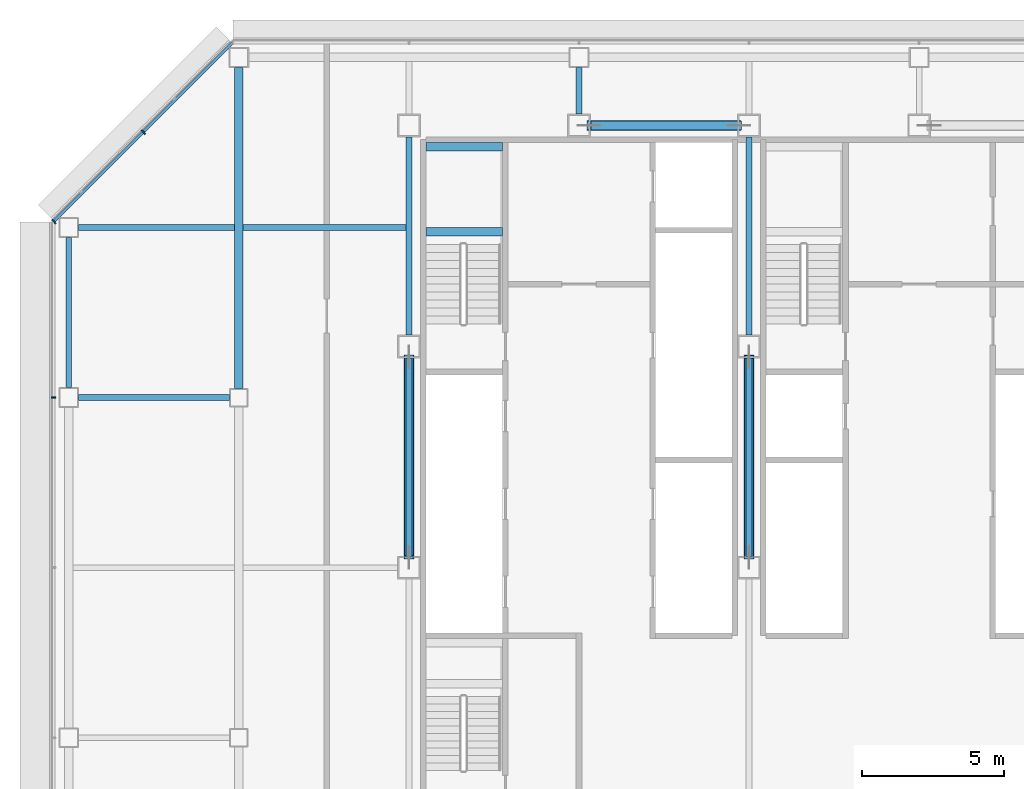
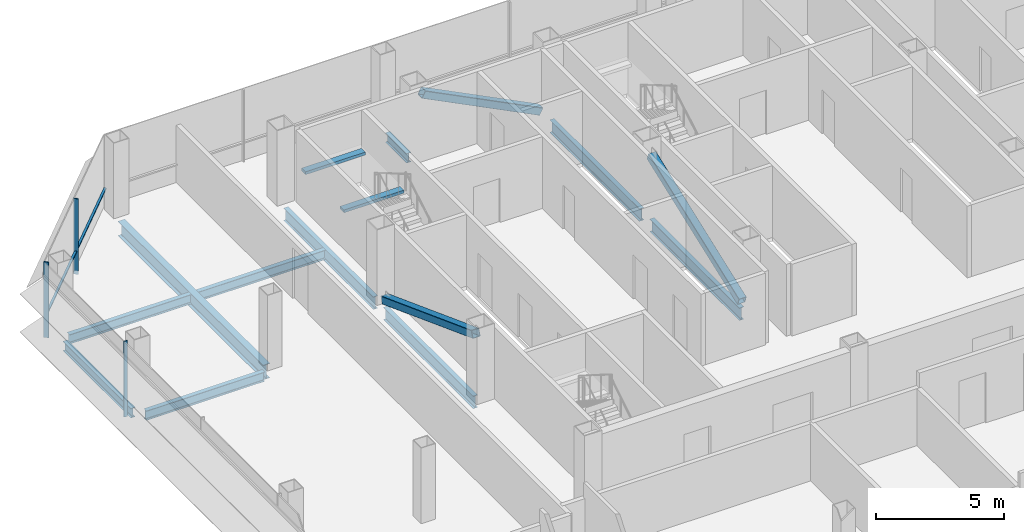
# One storey, part 11 of 26: 12 beams, 7 members, 2 elements without a shape of their own.
"""IFC4 building model written with IfcOpenShell, lengths in metres."""

from ifc_helpers import new_model, si_unit, direction, frame, origin, origin_2d, place, context, subcontext, project, spatial, rectangle, hollow_rectangle, i_section, extrude, material, material_profile, profile_set, type_object, element, aggregate, save


model = new_model("IFC4")

# Units and contexts
model_context = context("Model", 3, precision=1e-05, world=origin(), true_north=direction((0.0, 1.0)))
body_context = subcontext(model_context, "Body", "Model", "MODEL_VIEW")
ifc_project = project(units=[si_unit("LENGTHUNIT", "METRE"), si_unit("AREAUNIT", "SQUARE_METRE"), si_unit("VOLUMEUNIT", "CUBIC_METRE"), si_unit("PLANEANGLEUNIT", "RADIAN"), si_unit("MASSUNIT", "GRAM", prefix="KILO")], contexts=[model_context])

# Site, building, storey
site_placement = place(None, origin())
site = spatial("IfcSite", under=ifc_project, at=site_placement, CompositionType="ELEMENT")
building_placement = place(site_placement, origin())
building = spatial("IfcBuilding", under=site, at=building_placement, Name="Sorahane Residences", CompositionType="ELEMENT")
storey_placement = place(building_placement, frame((0.0, 0.0, 154.60009765625)))
storey = spatial("IfcBuildingStorey", under=building, at=storey_placement, Name="L35", CompositionType="ELEMENT", Elevation=154.60009765625)

# Members
ifc_material_1 = material(Name="Steel Q355B", Category="steel")
ifc_material_profile_1 = material_profile(ifc_material_1, hollow_rectangle(XDim=0.35009765625, YDim=0.35009765625, WallThickness=0.01806640625, InnerFilletRadius=0.009033203125, OuterFilletRadius=0.027099609375, at=origin_2d()), Name="RHS 350x350x18")
ifc_profile_set_1 = profile_set([ifc_material_profile_1], Name="Steel Q355B")
member_type_1 = type_object("IfcMemberType", Name="Core brace RHS 350x350x18 Q355B", PredefinedType="BRACE", material=ifc_profile_set_1)
member_1_placement = place(storey_placement, frame((17.647216796875, 45.60009765625, 0.151123046875), z_axis=(-0.893055794866, 0.0, 0.449945938149), x_axis=(0.0, -1.0, 0.0)))
element("IfcMember", 1, at=member_1_placement, inside=storey, type_object=member_type_1, Name="Core brace L35 y45.6-2", PredefinedType="BRACE", context=body_context, shape_type="SweptSolid", body=[
    extrude(hollow_rectangle(XDim=0.35009765625, YDim=0.35009765625, WallThickness=0.01806640625, InnerFilletRadius=0.009033203125, OuterFilletRadius=0.027099609375, at=origin_2d()), origin(), (0.0, 0.0, 1.0), 5.928466796875),
])
for number, where, z_axis, x_axis, name in (
    (2, (6.0, 37.436767578125, 0.1611328125), (0.0, -0.936550837269, 0.350531780601), (1.0, 0.0, 0.0), "Core brace L35 x6-2"),
    (3, (18.0, 30.36328125, 0.1611328125), (0.0, 0.936550837269, 0.350531780601), (-1.0, 0.0, 0.0), "Core brace L35 x18-1"),
):
    element("IfcMember", number, at=place(storey_placement, frame(where, z_axis=z_axis, x_axis=x_axis)), inside=storey, type_object=member_type_1, Name=name, PredefinedType="BRACE", context=body_context, shape_type="SweptSolid", body=[
        extrude(hollow_rectangle(XDim=0.35009765625, YDim=0.35009765625, WallThickness=0.01806640625, InnerFilletRadius=0.009033203125, OuterFilletRadius=0.027099609375, at=origin_2d()), origin(), (0.0, 0.0, 1.0), 7.552734375),
    ])

# Curtain wall, member
ifc_material_2 = material(Name="Dark low-e glass and black anodised aluminium", Category="aluminium")
curtain_wall_type_1 = type_object("IfcCurtainWallType", Name="Curtain wall CW-1 Typical unitised wall", PredefinedType="NOTDEFINED", material=ifc_material_2)
curtain_wall_1_placement = place(storey_placement, origin())
curtain_wall_1 = element("IfcCurtainWall", 4, at=curtain_wall_1_placement, inside=storey, type_object=curtain_wall_type_1, Name="CW-1 curtain wall L35 W1", PredefinedType="NOTDEFINED")
ifc_material_3 = material(Name="Black anodised aluminium", Category="aluminium")
ifc_material_profile_2 = material_profile(ifc_material_3, rectangle(XDim=0.159912109375, YDim=0.050048828125, at=origin_2d()), Name="Curtain wall mullion CW-1 black anodised aluminium 50x160")
ifc_profile_set_2 = profile_set([ifc_material_profile_2], Name="Black anodised aluminium")
member_type_2 = type_object("IfcMemberType", Name="Curtain wall mullion CW-1 black anodised aluminium 50x160", PredefinedType="MULLION", material=ifc_profile_set_2)
member_2_placement = place(storey_placement, frame((-6.5400390625, 36.0, -0.18017578125), z_axis=(0.0, 0.0, 1.0), x_axis=(-1.0, 0.0, 0.0)))
member_2 = element("IfcMember", 5, at=member_2_placement, type_object=member_type_2, Name="CW-1 mullion L35 W1.2", PredefinedType="MULLION", context=body_context, shape_type="SweptSolid", body=[
    extrude(rectangle(XDim=0.159912109375, YDim=0.050048828125, at=origin_2d()), origin(), (0.0, 0.0, 1.0), 3.60009765625),
])
aggregate(curtain_wall_1, [member_2])

# Curtain wall, members
ifc_material_4 = material(Name="Dark low-e glass and black anodised aluminium", Category="aluminium")
curtain_wall_type_2 = type_object("IfcCurtainWallType", Name="Curtain wall CW-2 Chamfer unitised wall", PredefinedType="NOTDEFINED", material=ifc_material_4)
curtain_wall_2_placement = place(storey_placement, origin())
curtain_wall_2 = element("IfcCurtainWall", 6, at=curtain_wall_2_placement, inside=storey, type_object=curtain_wall_type_2, Name="CW-2 curtain wall L35 NW1", PredefinedType="NOTDEFINED")
ifc_material_5 = material(Name="Black anodised aluminium", Category="aluminium")
ifc_material_profile_3 = material_profile(ifc_material_5, rectangle(XDim=0.199951171875, YDim=0.050048828125, at=origin_2d()), Name="Curtain wall mullion CW-2 black anodised aluminium 50x200")
ifc_profile_set_3 = profile_set([ifc_material_profile_3], Name="Black anodised aluminium")
member_type_3 = type_object("IfcMemberType", Name="Curtain wall mullion CW-2 black anodised aluminium 50x200", PredefinedType="MULLION", material=ifc_profile_set_3)
member_3_placement = place(storey_placement, frame((-3.36767578125, 45.36767578125, -0.18017578125), z_axis=(0.0, 0.0, 1.0), x_axis=(-0.707106781187, 0.707106781187, 0.0)))
member_3 = element("IfcMember", 7, at=member_3_placement, type_object=member_type_3, Name="CW-2 mullion L35 NW1.2", PredefinedType="MULLION", context=body_context, shape_type="SweptSolid", body=[
    extrude(rectangle(XDim=0.199951171875, YDim=0.050048828125, at=origin_2d()), origin(), (0.0, 0.0, 1.0), 3.60009765625),
])
member_4_placement = place(storey_placement, frame((-6.525634765625, 42.209716796875, -0.18017578125), z_axis=(0.0, 0.0, 1.0), x_axis=(-0.707106781187, 0.707106781187, 0.0)))
member_4 = element("IfcMember", 8, at=member_4_placement, type_object=member_type_3, Name="CW-2 mullion L35 NW1.3", PredefinedType="MULLION", context=body_context, shape_type="SweptSolid", body=[
    extrude(rectangle(XDim=0.199951171875, YDim=0.050048828125, at=origin_2d()), origin(), (0.0, 0.0, 1.0), 3.60009765625),
])
ifc_material_6 = material(Name="Black anodised aluminium", Category="aluminium")
ifc_material_profile_4 = material_profile(ifc_material_6, rectangle(XDim=0.10009765625, YDim=0.06005859375, at=origin_2d()), Name="Curtain wall transom CW-2 black anodised aluminium 60x100")
ifc_profile_set_4 = profile_set([ifc_material_profile_4], Name="Black anodised aluminium")
member_type_4 = type_object("IfcMemberType", Name="Curtain wall transom CW-2 black anodised aluminium 60x100", PredefinedType="USERDEFINED", material=ifc_profile_set_4)
member_5_placement = place(storey_placement, frame((-0.234375, 48.51513671875, 0.89990234375), z_axis=(-0.707106781187, -0.707106781187, 0.0), x_axis=(0.707106781187, -0.707106781187, 0.0)))
member_5 = element("IfcMember", 9, at=member_5_placement, type_object=member_type_4, Name="CW-2 transom L35 NW1", ObjectType="TRANSOM", PredefinedType="USERDEFINED", context=body_context, shape_type="SweptSolid", body=[
    extrude(rectangle(XDim=0.10009765625, YDim=0.06005859375, at=origin_2d()), origin(), (0.0, 0.0, 1.0), 8.88232421875),
])
aggregate(curtain_wall_2, [member_3, member_4, member_5])

# Beams
ifc_material_7 = material(Name="Concrete C40", Category="concrete")
ifc_material_profile_5 = material_profile(ifc_material_7, rectangle(XDim=0.300048828125, YDim=0.139892578125, at=origin_2d()), Name="300x140")
ifc_profile_set_5 = profile_set([ifc_material_profile_5], Name="Concrete C40")
beam_type_1 = type_object("IfcBeamType", Name="RC landing beam 300 x 140 Concrete C40", PredefinedType="BEAM", material=ifc_profile_set_5)
for number, where, z_axis, x_axis, name in (
    (10, (6.60009765625, 41.85009765625, 1.52978515625), (1.0, 0.0, 0.0), (0.0, 1.0, 0.0), "Landing beam"),
    (11, (6.60009765625, 44.85009765625, 1.52978515625), (1.0, 0.0, 0.0), (0.0, 1.0, 0.0), "Landing beam"),
):
    element("IfcBeam", number, at=place(storey_placement, frame(where, z_axis=z_axis, x_axis=x_axis)), inside=storey, type_object=beam_type_1, Name=name, PredefinedType="BEAM", context=body_context, shape_type="SweptSolid", body=[
        extrude(rectangle(XDim=0.300048828125, YDim=0.139892578125, at=origin_2d()), origin(), (0.0, 0.0, 1.0), 2.699951171875),
    ])
ifc_material_8 = material(Name="Steel Q355B", Category="steel")
ifc_material_profile_6 = material_profile(ifc_material_8, i_section(OverallWidth=0.199951171875, OverallDepth=0.449951171875, WebThickness=0.009033203125, FlangeThickness=0.013916015625, FilletRadius=0.02001953125, at=origin_2d()), Name="HN 450x200x9x14")
ifc_profile_set_6 = profile_set([ifc_material_profile_6], Name="Steel Q355B")
beam_type_2 = type_object("IfcBeamType", Name="Steel floor beam HN 450x200x9x14 Q355B", PredefinedType="BEAM", material=ifc_profile_set_6)
beam_1_placement = place(storey_placement, frame((-5.64990234375, 36.0, -0.405029296875), z_axis=(1.0, 0.0, 0.0), x_axis=(0.0, 1.0, 0.0)))
element("IfcBeam", 12, at=beam_1_placement, inside=storey, type_object=beam_type_2, Name="Beam L35 013", PredefinedType="BEAM", context=body_context, shape_type="SweptSolid", body=[
    extrude(i_section(OverallWidth=0.199951171875, OverallDepth=0.449951171875, WebThickness=0.009033203125, FlangeThickness=0.013916015625, FilletRadius=0.02001953125, at=origin_2d()), origin(), (0.0, 0.0, 1.0), 5.324951171875),
])
beam_2_placement = place(storey_placement, frame((-6.0, 36.35009765625, -0.405029296875), z_axis=(0.0, 1.0, 0.0), x_axis=(-1.0, 0.0, 0.0)))
element("IfcBeam", 13, at=beam_2_placement, inside=storey, type_object=beam_type_2, Name="Beam L35 023", PredefinedType="BEAM", context=body_context, shape_type="SweptSolid", body=[
    extrude(i_section(OverallWidth=0.199951171875, OverallDepth=0.449951171875, WebThickness=0.009033203125, FlangeThickness=0.013916015625, FilletRadius=0.02001953125, at=origin_2d()), origin(), (0.0, 0.0, 1.0), 5.2998046875),
])
beam_3_placement = place(storey_placement, frame((12.0, 46.0, -0.405029296875), z_axis=(0.0, 1.0, 0.0), x_axis=(-1.0, 0.0, 0.0)))
element("IfcBeam", 14, at=beam_3_placement, inside=storey, type_object=beam_type_2, Name="Beam L35 035", PredefinedType="BEAM", context=body_context, shape_type="SweptSolid", body=[
    extrude(i_section(OverallWidth=0.199951171875, OverallDepth=0.449951171875, WebThickness=0.009033203125, FlangeThickness=0.013916015625, FilletRadius=0.02001953125, at=origin_2d()), origin(), (0.0, 0.0, 1.0), 1.64990234375),
])
beam_4_placement = place(storey_placement, frame((-5.64990234375, 42.0, -0.405029296875), z_axis=(1.0, 0.0, 0.0), x_axis=(0.0, 1.0, 0.0)))
element("IfcBeam", 15, at=beam_4_placement, inside=storey, type_object=beam_type_2, Name="Beam L35 089", PredefinedType="BEAM", context=body_context, shape_type="SweptSolid", body=[
    extrude(i_section(OverallWidth=0.199951171875, OverallDepth=0.449951171875, WebThickness=0.009033203125, FlangeThickness=0.013916015625, FilletRadius=0.02001953125, at=origin_2d()), origin(), (0.0, 0.0, 1.0), 5.5),
])
beam_5_placement = place(storey_placement, frame((0.14990234375, 42.0, -0.405029296875), z_axis=(1.0, 0.0, 0.0), x_axis=(0.0, 1.0, 0.0)))
element("IfcBeam", 16, at=beam_5_placement, inside=storey, type_object=beam_type_2, Name="Beam L35 090", PredefinedType="BEAM", context=body_context, shape_type="SweptSolid", body=[
    extrude(i_section(OverallWidth=0.199951171875, OverallDepth=0.449951171875, WebThickness=0.009033203125, FlangeThickness=0.013916015625, FilletRadius=0.02001953125, at=origin_2d()), origin(), (0.0, 0.0, 1.0), 5.75),
])
ifc_material_9 = material(Name="Steel Q355B", Category="steel")
ifc_material_profile_7 = material_profile(ifc_material_9, i_section(OverallWidth=0.199951171875, OverallDepth=0.60009765625, WebThickness=0.010986328125, FlangeThickness=0.01708984375, FilletRadius=0.02392578125, at=origin_2d()), Name="HN 600x200x11x17")
ifc_profile_set_7 = profile_set([ifc_material_profile_7], Name="Steel Q355B")
beam_type_3 = type_object("IfcBeamType", Name="Steel floor beam HN 600x200x11x17 Q355B", PredefinedType="BEAM", material=ifc_profile_set_7)
for number, where, z_axis, x_axis, name in (
    (17, (6.0, 30.39990234375, -0.47998046875), (0.0, 1.0, 0.0), (-1.0, 0.0, 0.0), "Beam L35 031"),
    (18, (6.0, 38.199951171875, -0.47998046875), (0.0, 1.0, 0.0), (-1.0, 0.0, 0.0), "Beam L35 032"),
    (19, (18.0, 30.39990234375, -0.47998046875), (0.0, 1.0, 0.0), (-1.0, 0.0, 0.0), "Beam L35 039"),
    (20, (18.0, 38.199951171875, -0.47998046875), (0.0, 1.0, 0.0), (-1.0, 0.0, 0.0), "Beam L35 040"),
):
    element("IfcBeam", number, at=place(storey_placement, frame(where, z_axis=z_axis, x_axis=x_axis)), inside=storey, type_object=beam_type_3, Name=name, PredefinedType="BEAM", context=body_context, shape_type="SweptSolid", body=[
        extrude(i_section(OverallWidth=0.199951171875, OverallDepth=0.60009765625, WebThickness=0.010986328125, FlangeThickness=0.01708984375, FilletRadius=0.02392578125, at=origin_2d()), origin(), (0.0, 0.0, 1.0), 7.0),
    ])
ifc_material_10 = material(Name="Steel Q355B", Category="steel")
ifc_material_profile_8 = material_profile(ifc_material_10, i_section(OverallWidth=0.300048828125, OverallDepth=0.699951171875, WebThickness=0.012939453125, FlangeThickness=0.02392578125, FilletRadius=0.028076171875, at=origin_2d()), Name="HN 700x300x13x24")
ifc_profile_set_8 = profile_set([ifc_material_profile_8], Name="Steel Q355B")
beam_type_4 = type_object("IfcBeamType", Name="Steel floor beam HN 700x300x13x24 Q355B", PredefinedType="BEAM", material=ifc_profile_set_8)
beam_6_placement = place(storey_placement, frame((0.0, 36.324951171875, -0.530029296875), z_axis=(0.0, 1.0, 0.0), x_axis=(-1.0, 0.0, 0.0)))
element("IfcBeam", 21, at=beam_6_placement, inside=storey, type_object=beam_type_4, Name="Beam L35 027", PredefinedType="BEAM", context=body_context, shape_type="SweptSolid", body=[
    extrude(i_section(OverallWidth=0.300048828125, OverallDepth=0.699951171875, WebThickness=0.012939453125, FlangeThickness=0.02392578125, FilletRadius=0.028076171875, at=origin_2d()), origin(), (0.0, 0.0, 1.0), 11.324951171875),
])

save(model, "model.ifc")
